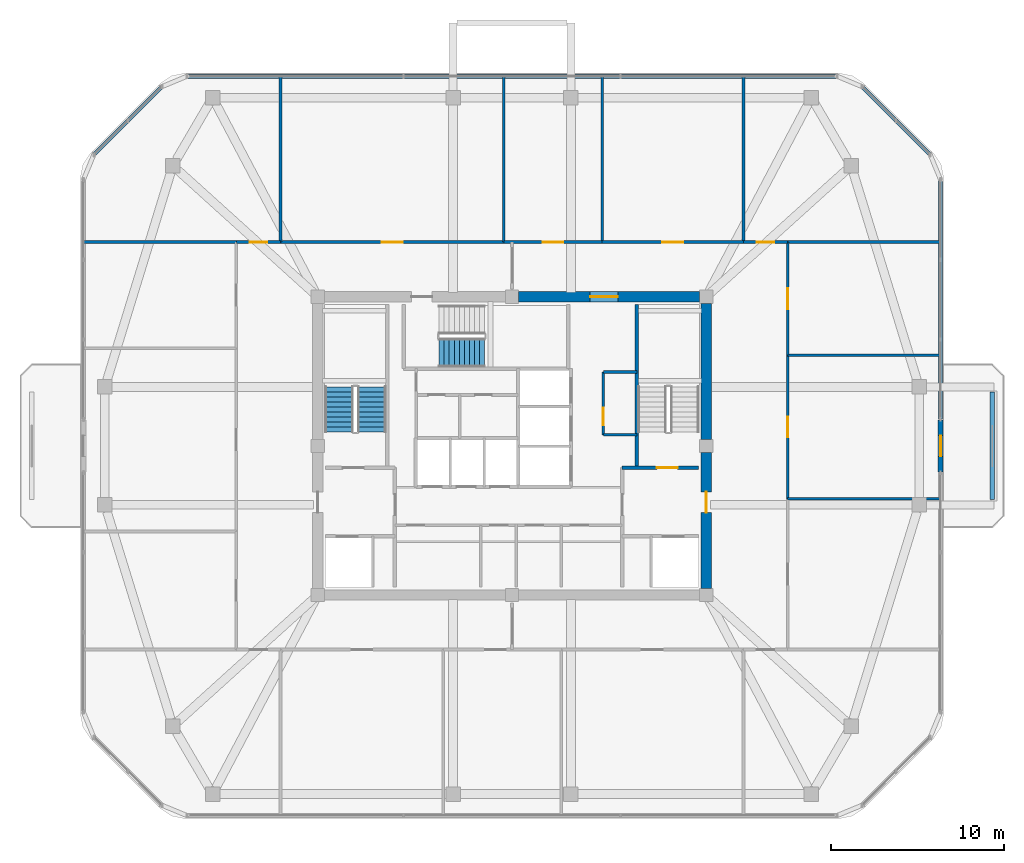
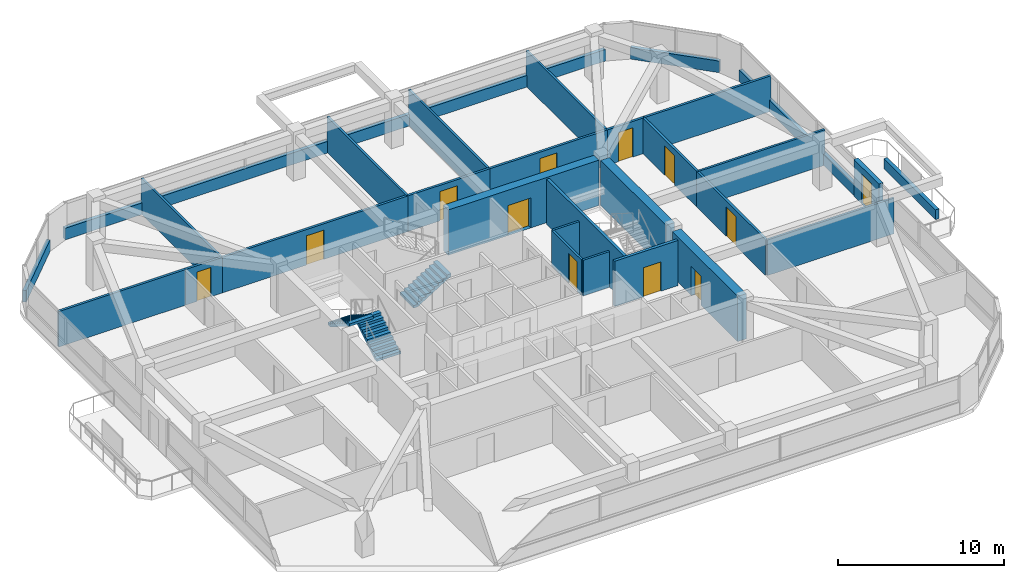
# One storey, part 11 of 14: 29 walls, 12 doors, 3 stair flights, 12 openings, 2 elements without a shape of their own.
"""IFC4 building model written with IfcOpenShell, lengths in metres."""

import ifcopenshell
import ifcopenshell.guid

model = None  # the IFC model being written
_history = None  # IfcOwnerHistory: only IFC2X3 demands one
_inside = {}  # id of a spatial element -> (the spatial element, [elements in it])
_under = {}  # id of a project, library or spatial element -> (it, [spatial elements below it])
_declared = {}  # id of a project -> (the project, [libraries it declares])
_typed = {}  # id of a type object -> (the type object, [elements of that type])
_made_of = {}  # id of a material, layer set ... -> (it, [elements and type objects made of it])


def new_model(schema):
    """Start an empty IFC model of exactly this schema.

    Asked for "IFC4X3", IfcOpenShell would pick the latest addendum, in which some entities
    have other attributes; the version numbers below select the first issue.
    IFC2X3 requires an IfcOwnerHistory on every rooted entity: one is made here for all.
    """
    global model, _history
    if schema == "IFC4X3":
        model = ifcopenshell.file(schema_version=(4, 3, 0, 0))
    else:
        model = ifcopenshell.file(schema=schema)
    _inside.clear()
    _under.clear()
    _declared.clear()
    _typed.clear()
    _made_of.clear()
    _history = None
    if model.schema == "IFC2X3":
        org = make("IfcOrganization", Name="unknown")
        user = make(
            "IfcPersonAndOrganization",
            ThePerson=make("IfcPerson", FamilyName="unknown"),
            TheOrganization=org,
        )
        app = make(
            "IfcApplication",
            ApplicationDeveloper=org,
            Version="unknown",
            ApplicationFullName="unknown",
            ApplicationIdentifier="unknown",
        )
        _history = make(
            "IfcOwnerHistory",
            OwningUser=user,
            OwningApplication=app,
            ChangeAction="ADDED",
            CreationDate=0,
        )
    return model


def make(cls, **values):
    """One entity of the class cls with the attributes given. An attribute that is None is left unset."""
    return model.create_entity(
        cls, **{name: value for name, value in values.items() if value is not None}
    )


def rooted(cls, **values):
    """An entity with a GlobalId (a new one), such as an element, a storey or a relation."""
    return make(cls, GlobalId=ifcopenshell.guid.new(), OwnerHistory=_history, **values)


def si_unit(unit_type, name, prefix=None):
    """IfcSIUnit, for example si_unit("LENGTHUNIT", "METRE", prefix="MILLI")."""
    return make("IfcSIUnit", UnitType=unit_type, Prefix=prefix, Name=name)


def derived_unit(unit_type, elements):
    """IfcDerivedUnit: a product of units, each with its exponent."""
    return make(
        "IfcDerivedUnit",
        Elements=[
            make("IfcDerivedUnitElement", Unit=unit, Exponent=power)
            for unit, power in elements
        ],
        UnitType=unit_type,
    )


def assignment(units):
    """IfcUnitAssignment: the units of a project."""
    return None if units is None else make("IfcUnitAssignment", Units=units)


def point(xyz):
    """IfcCartesianPoint."""
    return None if xyz is None else make("IfcCartesianPoint", Coordinates=xyz)


def direction(xyz):
    """IfcDirection."""
    return None if xyz is None else make("IfcDirection", DirectionRatios=xyz)


def frame(location, z_axis=None, x_axis=None):
    """IfcAxis2Placement3D, a coordinate frame: its origin and axes. An axis left out is left unset."""
    return make(
        "IfcAxis2Placement3D",
        Location=point(location),
        Axis=direction(z_axis),
        RefDirection=direction(x_axis),
    )


def frame_2d(location, x_axis=None):
    """IfcAxis2Placement2D, a coordinate frame in the plane: its origin and x axis."""
    return make(
        "IfcAxis2Placement2D", Location=point(location), RefDirection=direction(x_axis)
    )


def origin():
    """The frame at (0, 0, 0) with its axes left unset."""
    return frame((0.0, 0.0, 0.0))


def place(relative_to, where):
    """IfcLocalPlacement: puts the frame where relative to a parent placement (None: the world)."""
    return make(
        "IfcLocalPlacement", PlacementRelTo=relative_to, RelativePlacement=where
    )


def context(
    kind, dimensions, precision=None, world=None, true_north=None, identifier=None
):
    """IfcGeometricRepresentationContext, for example the 3D "Model" context."""
    return make(
        "IfcGeometricRepresentationContext",
        ContextIdentifier=identifier,
        ContextType=kind,
        CoordinateSpaceDimension=dimensions,
        Precision=precision,
        WorldCoordinateSystem=world,
        TrueNorth=true_north,
    )


def subcontext(parent, identifier, kind, view, scale=None):
    """IfcGeometricRepresentationSubContext, for example "Body" below "Model"."""
    return make(
        "IfcGeometricRepresentationSubContext",
        ContextIdentifier=identifier,
        ContextType=kind,
        ParentContext=parent,
        TargetScale=scale,
        TargetView=view,
    )


def project(units=None, contexts=None):
    """IfcProject with its units and contexts."""
    return rooted(
        "IfcProject",
        Name="project",
        RepresentationContexts=contexts,
        UnitsInContext=assignment(units),
    )


def spatial(cls, under=None, at=None, **own):
    """A site, building, storey or space (cls), placed at a placement, below another one or the project."""
    s = rooted(cls, ObjectPlacement=at, **own)
    if under is not None:
        _under.setdefault(under.id(), (under, []))[1].append(s)
    return s


def polyline(points):
    """IfcPolyline through the points."""
    return make("IfcPolyline", Points=[point(p) for p in points])


def profile(cls, at=None, kind="AREA", **sizes):
    """A parametric profile (cls). Its sizes go by their IFC names, for example OverallWidth=200.0."""
    return make(cls, ProfileType=kind, Position=at, **sizes)


def rectangle(**sizes):
    """IfcRectangleProfileDef."""
    return profile("IfcRectangleProfileDef", **sizes)


def outline(outer, holes=None, kind="AREA"):
    """IfcArbitraryClosedProfileDef: a profile drawn as a closed curve; with holes, ...WithVoids."""
    if holes is None:
        return make("IfcArbitraryClosedProfileDef", ProfileType=kind, OuterCurve=outer)
    return make(
        "IfcArbitraryProfileDefWithVoids",
        ProfileType=kind,
        OuterCurve=outer,
        InnerCurves=holes,
    )


def extrude(swept, where, along, depth):
    """IfcExtrudedAreaSolid: the profile swept, set in the frame where, extruded along a direction by depth."""
    return make(
        "IfcExtrudedAreaSolid",
        SweptArea=swept,
        Position=where,
        ExtrudedDirection=direction(along),
        Depth=depth,
    )


def shape(context_of_items, identifier, shape_type, items):
    """IfcShapeRepresentation: the items that make up one representation, for example the "Body"."""
    return make(
        "IfcShapeRepresentation",
        ContextOfItems=context_of_items,
        RepresentationIdentifier=identifier,
        RepresentationType=shape_type,
        Items=items,
    )


def material(Name=None, Category=None):
    """IfcMaterial."""
    return make("IfcMaterial", Name=Name, Category=Category)


def layer(
    of_material, thickness, ventilated=None, Name=None, Category=None, Priority=None
):
    """IfcMaterialLayer: one layer of a wall or slab, of a material (None: an air gap)."""
    return make(
        "IfcMaterialLayer",
        Material=of_material,
        LayerThickness=thickness,
        IsVentilated=ventilated,
        Name=Name,
        Category=Category,
        Priority=Priority,
    )


def layer_set(layers, Name=None):
    """IfcMaterialLayerSet."""
    return make("IfcMaterialLayerSet", MaterialLayers=layers, LayerSetName=Name)


def made_of(thing, what):
    """Note that an element or type object is made of a material, layer set ...; save() writes the relation."""
    if what is not None:
        _made_of.setdefault(what.id(), (what, []))[1].append(thing)
    return thing


def type_object(cls, material=None, **own):
    """A type object (cls), such as IfcWallType, which elements share."""
    return made_of(rooted(cls, **own), material)


def element(
    cls,
    number,
    at=None,
    inside=None,
    cuts=None,
    type_object=None,
    material=None,
    context=None,
    identifier="Body",
    shape_type=None,
    held_by="IfcProductDefinitionShape",
    body=None,
    shapes=None,
    **own,
):
    """One element of the class cls, such as IfcWall. Its Tag is "e" and its number.

    at: its placement. inside: the storey or other place that contains it. cuts: it is an
    opening in that element (IfcRelVoidsElement). A single representation is given by context,
    identifier, shape_type and body (its items); several are given by shapes. held_by: the class
    of the entity that holds the representations. save() writes the other relations.
    """
    e = rooted(cls, Tag="e%d" % number, ObjectPlacement=at, **own)
    if body is not None:
        shapes = [shape(context, identifier, shape_type, body)]
    if shapes is not None:
        e.Representation = make(held_by, Representations=shapes)
    if inside is not None:
        _inside.setdefault(inside.id(), (inside, []))[1].append(e)
    if cuts is not None:
        rooted(
            "IfcRelVoidsElement", RelatingBuildingElement=cuts, RelatedOpeningElement=e
        )
    if type_object is not None:
        _typed.setdefault(type_object.id(), (type_object, []))[1].append(e)
    return made_of(e, material)


def fill(opening, filler):
    """IfcRelFillsElement: the door or window that sits in an opening."""
    return rooted(
        "IfcRelFillsElement",
        RelatingOpeningElement=opening,
        RelatedBuildingElement=filler,
    )


def aggregate(whole, parts):
    """IfcRelAggregates: a whole, such as a stair, and the parts it consists of."""
    return rooted("IfcRelAggregates", RelatingObject=whole, RelatedObjects=parts)


def save(model, path):
    """Write the relations noted so far, then the file.

    IfcRelAggregates (storeys below a building ...), IfcRelContainedInSpatialStructure (elements
    in a storey), IfcRelDefinesByType, IfcRelAssociatesMaterial and IfcRelDeclares: one each for
    every whole, place, type object, material and project.
    """
    for whole, parts in _under.values():
        aggregate(whole, parts)
    for where, things in _inside.values():
        rooted(
            "IfcRelContainedInSpatialStructure",
            RelatedElements=things,
            RelatingStructure=where,
        )
    for kind, things in _typed.values():
        rooted("IfcRelDefinesByType", RelatedObjects=things, RelatingType=kind)
    for what, things in _made_of.values():
        rooted("IfcRelAssociatesMaterial", RelatedObjects=things, RelatingMaterial=what)
    for by, libraries in _declared.values():
        rooted("IfcRelDeclares", RelatingContext=by, RelatedDefinitions=libraries)
    model.write(path)


model = new_model("IFC4")

# Units and contexts
model_context = context("Model", 3, precision=1e-05, world=origin(), true_north=direction((0.0, 1.0)))
body_context = subcontext(model_context, "Body", "Model", "MODEL_VIEW")
ifc_project = project(units=[si_unit("LENGTHUNIT", "METRE"), si_unit("AREAUNIT", "SQUARE_METRE"), si_unit("VOLUMEUNIT", "CUBIC_METRE"), si_unit("PLANEANGLEUNIT", "RADIAN"), si_unit("MASSUNIT", "GRAM", prefix="KILO"), derived_unit("THERMALTRANSMITTANCEUNIT", [(si_unit("POWERUNIT", "WATT"), 1), (si_unit("LENGTHUNIT", "METRE"), -2), (si_unit("THERMODYNAMICTEMPERATUREUNIT", "KELVIN"), -1)])], contexts=[model_context])

# Site, building, storey
site_placement = place(None, origin())
site = spatial("IfcSite", under=ifc_project, at=site_placement, CompositionType="ELEMENT")
building_placement = place(site_placement, origin())
building = spatial("IfcBuilding", under=site, at=building_placement, Name="Koralith Skygarden Medical Center", CompositionType="ELEMENT")
storey_placement = place(building_placement, frame((0.0, 0.0, 257.219970703125)))
storey = spatial("IfcBuildingStorey", under=building, at=storey_placement, Name="L66", CompositionType="ELEMENT", Elevation=257.219970703125)

# Wall, opening, door
ifc_material_1 = material(Name="Gypsum Board Partition")
ifc_layer_1 = layer(ifc_material_1, 0.14990234375)
ifc_layer_set_1 = layer_set([ifc_layer_1], Name="Gypsum Board Partition")
wall_type_1 = type_object("IfcWallType", Name="Clinical Acoustic Partition 150", PredefinedType="PARTITIONING", material=ifc_layer_set_1)
wall_1_placement = place(storey_placement, frame((42.27001953125, 26.5400390625, 0.0), z_axis=(0.0, 0.0, 1.0), x_axis=(0.0, 1.0, 0.0)))
wall_1 = element("IfcWall", 1, at=wall_1_placement, inside=storey, type_object=wall_type_1, Name="L66 Clinical Acoustic Partition 150 W-CORE-L66-ESUB-W", PredefinedType="PARTITIONING", context=body_context, shape_type="SweptSolid", body=[
    extrude(rectangle(XDim=3.619873046875, YDim=0.14990234375, at=frame_2d((1.81005859375, 0.0))), origin(), (0.0, 0.0, 1.0), 2.610107421875),
])
opening_1_placement = place(wall_1_placement, frame((0.550048828125, 0.0, 0.0)))
opening_1 = element("IfcOpeningElement", 2, at=opening_1_placement, cuts=wall_1, Name="Opening D-SUP", PredefinedType="OPENING", context=body_context, shape_type="SweptSolid", body=[
    extrude(rectangle(XDim=1.0, YDim=2.14990234375, at=frame_2d((0.5, 1.074951171875))), frame((0.0, 0.0849609375, 0.0), z_axis=(0.0, -1.0, 0.0), x_axis=(1.0, 0.0, 0.0)), (0.0, 0.0, 1.0), 0.169921875),
])
ifc_material_2 = material(Name="Aluminium 6063-T6", Category="aluminium")
door_type_1 = type_object("IfcDoorType", Name="Clinical Support Door D-SUP 1000", OperationType="NOTDEFINED", PredefinedType="DOOR", material=ifc_material_2)
door_1_placement = place(opening_1_placement, origin())
door_1 = element("IfcDoor", 3, at=door_1_placement, inside=storey, type_object=door_type_1, Name="L66 Core Equipment Store Door", OperationType="SINGLE_SWING_LEFT", OverallHeight=2.14990234375, OverallWidth=1.0, PredefinedType="DOOR", context=body_context, shape_type="SweptSolid", body=[
    extrude(rectangle(XDim=1.0, YDim=2.14990234375, at=frame_2d((0.5, 1.074951171875))), frame((0.0, 0.02490234375, 0.0), z_axis=(0.0, -1.0, 0.0), x_axis=(1.0, 0.0, 0.0)), (0.0, 0.0, 1.0), 0.050048828125),
])
fill(opening_1, door_1)

# Walls
for number, where, z_axis, x_axis, name in (
    (4, (42.27001953125, 26.5400390625, 0.0), (0.0, 0.0, 1.0), (1.0, 0.0, 0.0), "L66 Clinical Acoustic Partition 150 W-CORE-L66-ESUB-S"),
    (5, (42.27001953125, 30.159912109375, 0.0), (0.0, 0.0, 1.0), (1.0, 0.0, 0.0), "L66 Clinical Acoustic Partition 150 W-CORE-L66-ESUB-N"),
):
    element("IfcWall", number, at=place(storey_placement, frame(where, z_axis=z_axis, x_axis=x_axis)), inside=storey, type_object=wall_type_1, Name=name, PredefinedType="PARTITIONING", context=body_context, shape_type="SweptSolid", body=[
        extrude(rectangle(XDim=1.929931640625, YDim=0.14990234375, at=frame_2d((0.96484375, 0.0))), origin(), (0.0, 0.0, 1.0), 2.610107421875),
    ])
for number, where, z_axis, x_axis, name in (
    (6, (23.64990234375, 37.64990234375, 0.0), (0.0, 0.0, 1.0), (0.0, 1.0, 0.0), "L66 Clinical Acoustic Partition 150 W-PART-L66-N-01"),
    (7, (36.52587890625, 37.64990234375, 0.0), (0.0, 0.0, 1.0), (0.0, 1.0, 0.0), "L66 Clinical Acoustic Partition 150 W-PART-L66-N-02"),
    (8, (42.194091796875, 37.64990234375, 0.0), (0.0, 0.0, 1.0), (0.0, 1.0, 0.0), "L66 Clinical Acoustic Partition 150 W-PART-L66-N-03"),
    (9, (50.35009765625, 37.64990234375, 0.0), (0.0, 0.0, 1.0), (0.0, 1.0, 0.0), "L66 Clinical Acoustic Partition 150 W-PART-L66-N-04"),
):
    element("IfcWall", number, at=place(storey_placement, frame(where, z_axis=z_axis, x_axis=x_axis)), inside=storey, type_object=wall_type_1, Name=name, PredefinedType="PARTITIONING", context=body_context, shape_type="SweptSolid", body=[
        extrude(rectangle(XDim=9.550048828125, YDim=0.14990234375, at=frame_2d((4.77490234375, 0.0))), origin(), (0.0, 0.0, 1.0), 2.610107421875),
    ])
for number, where, z_axis, x_axis, name in (
    (10, (52.89990234375, 22.844970703125, 0.0), (0.0, 0.0, 1.0), (1.0, 0.0, 0.0), "L66 Clinical Acoustic Partition 150 W-PART-L66-E-01"),
    (11, (52.89990234375, 31.135986328125, 0.0), (0.0, 0.0, 1.0), (1.0, 0.0, 0.0), "L66 Clinical Acoustic Partition 150 W-PART-L66-E-02"),
):
    element("IfcWall", number, at=place(storey_placement, frame(where, z_axis=z_axis, x_axis=x_axis)), inside=storey, type_object=wall_type_1, Name=name, PredefinedType="PARTITIONING", context=body_context, shape_type="SweptSolid", body=[
        extrude(rectangle(XDim=8.800048828125, YDim=0.14990234375, at=frame_2d((4.39990234375, 0.0))), origin(), (0.0, 0.0, 1.0), 2.610107421875),
    ])
ifc_layer_2 = layer(ifc_material_1, 0.1650390625)
ifc_layer_set_2 = layer_set([ifc_layer_2], Name="Gypsum Board Partition")
wall_type_2 = type_object("IfcWallType", Name="Clinical Corridor Partition 165", PredefinedType="PARTITIONING", material=ifc_layer_set_2)
for number, where, z_axis, x_axis, name in (
    (12, (12.300048828125, 37.64990234375, 0.0), (0.0, 0.0, 1.0), (1.0, 0.0, 0.0), "L66 Clinical Corridor Partition 165 W-WB-L66-NW"),
    (13, (52.89990234375, 37.64990234375, 0.0), (0.0, 0.0, 1.0), (1.0, 0.0, 0.0), "L66 Clinical Corridor Partition 165 W-WB-L66-NE"),
):
    element("IfcWall", number, at=place(storey_placement, frame(where, z_axis=z_axis, x_axis=x_axis)), inside=storey, type_object=wall_type_2, Name=name, PredefinedType="PARTITIONING", context=body_context, shape_type="SweptSolid", body=[
        extrude(rectangle(XDim=8.800048828125, YDim=0.1650390625, at=frame_2d((4.39990234375, 0.0))), origin(), (0.0, 0.0, 1.0), 2.610107421875),
    ])

# Wall, opening, door
wall_2_placement = place(storey_placement, frame((21.10009765625, 37.64990234375, 0.0), z_axis=(0.0, 0.0, 1.0), x_axis=(1.0, 0.0, 0.0)))
wall_2 = element("IfcWall", 14, at=wall_2_placement, inside=storey, type_object=wall_type_2, Name="L66 Clinical Corridor Partition 165 W-CORR-L66-N-01", PredefinedType="PARTITIONING", context=body_context, shape_type="SweptSolid", body=[
    extrude(rectangle(XDim=2.5498046875, YDim=0.1650390625, at=frame_2d((1.27490234375, 0.0))), origin(), (0.0, 0.0, 1.0), 2.610107421875),
])
opening_2_placement = place(wall_2_placement, frame((0.77490234375, 0.0, 0.0)))
opening_2 = element("IfcOpeningElement", 15, at=opening_2_placement, cuts=wall_2, Name="Opening D-SUP", PredefinedType="OPENING", context=body_context, shape_type="SweptSolid", body=[
    extrude(rectangle(XDim=1.0, YDim=2.14990234375, at=frame_2d((0.5, 1.074951171875))), frame((0.0, 0.092529296875, 0.0), z_axis=(0.0, -1.0, 0.0), x_axis=(1.0, 0.0, 0.0)), (0.0, 0.0, 1.0), 0.18505859375),
])
door_2_placement = place(opening_2_placement, origin())
door_2 = element("IfcDoor", 16, at=door_2_placement, inside=storey, type_object=door_type_1, Name="L66 Otolaryngology Audiology Exam Room 01 Door", OperationType="SINGLE_SWING_RIGHT", OverallHeight=2.14990234375, OverallWidth=1.0, PredefinedType="DOOR", context=body_context, shape_type="SweptSolid", body=[
    extrude(rectangle(XDim=1.0, YDim=2.14990234375, at=frame_2d((0.5, 1.074951171875))), frame((0.0, 0.02490234375, 0.0), z_axis=(0.0, -1.0, 0.0), x_axis=(1.0, 0.0, 0.0)), (0.0, 0.0, 1.0), 0.050048828125),
])
fill(opening_2, door_2)

wall_3_placement = place(storey_placement, frame((23.64990234375, 37.64990234375, 0.0), z_axis=(0.0, 0.0, 1.0), x_axis=(1.0, 0.0, 0.0)))
wall_3 = element("IfcWall", 17, at=wall_3_placement, inside=storey, type_object=wall_type_2, Name="L66 Clinical Corridor Partition 165 W-CORR-L66-N-02", PredefinedType="PARTITIONING", context=body_context, shape_type="SweptSolid", body=[
    extrude(rectangle(XDim=12.8759765625, YDim=0.1650390625, at=frame_2d((6.43798828125, 0.0))), origin(), (0.0, 0.0, 1.0), 2.610107421875),
])
opening_3_placement = place(wall_3_placement, frame((5.837890625, 0.0, 0.0)))
opening_3 = element("IfcOpeningElement", 18, at=opening_3_placement, cuts=wall_3, Name="Opening D-CLN", PredefinedType="OPENING", context=body_context, shape_type="SweptSolid", body=[
    extrude(rectangle(XDim=1.199951171875, YDim=2.14990234375, at=frame_2d((0.60009765625, 1.074951171875))), frame((0.0, 0.092529296875, 0.0), z_axis=(0.0, -1.0, 0.0), x_axis=(1.0, 0.0, 0.0)), (0.0, 0.0, 1.0), 0.18505859375),
])
door_type_2 = type_object("IfcDoorType", Name="Clinical Corridor Door D-CLN 1200", OperationType="NOTDEFINED", PredefinedType="DOOR", material=ifc_material_2)
door_3_placement = place(opening_3_placement, origin())
door_3 = element("IfcDoor", 19, at=door_3_placement, inside=storey, type_object=door_type_2, Name="L66 Speech Swallow Treatment Room 02 Door", OperationType="SINGLE_SWING_LEFT", OverallHeight=2.14990234375, OverallWidth=1.199951171875, PredefinedType="DOOR", context=body_context, shape_type="SweptSolid", body=[
    extrude(rectangle(XDim=1.199951171875, YDim=2.14990234375, at=frame_2d((0.60009765625, 1.074951171875))), frame((0.0, 0.02490234375, 0.0), z_axis=(0.0, -1.0, 0.0), x_axis=(1.0, 0.0, 0.0)), (0.0, 0.0, 1.0), 0.050048828125),
])
fill(opening_3, door_3)

wall_4_placement = place(storey_placement, frame((36.52587890625, 37.64990234375, 0.0), z_axis=(0.0, 0.0, 1.0), x_axis=(1.0, 0.0, 0.0)))
wall_4 = element("IfcWall", 20, at=wall_4_placement, inside=storey, type_object=wall_type_2, Name="L66 Clinical Corridor Partition 165 W-CORR-L66-N-03", PredefinedType="PARTITIONING", context=body_context, shape_type="SweptSolid", body=[
    extrude(rectangle(XDim=5.668212890625, YDim=0.1650390625, at=frame_2d((2.833984375, 0.0))), origin(), (0.0, 0.0, 1.0), 2.610107421875),
])
opening_4_placement = place(wall_4_placement, frame((2.23388671875, 0.0, 0.0)))
opening_4 = element("IfcOpeningElement", 21, at=opening_4_placement, cuts=wall_4, Name="Opening D-CLN", PredefinedType="OPENING", context=body_context, shape_type="SweptSolid", body=[
    extrude(rectangle(XDim=1.199951171875, YDim=2.14990234375, at=frame_2d((0.60009765625, 1.074951171875))), frame((0.0, 0.092529296875, 0.0), z_axis=(0.0, -1.0, 0.0), x_axis=(1.0, 0.0, 0.0)), (0.0, 0.0, 1.0), 0.18505859375),
])
door_4_placement = place(opening_4_placement, origin())
door_4 = element("IfcDoor", 22, at=door_4_placement, inside=storey, type_object=door_type_2, Name="L66 Vestibular Testing Exam Room 03 Door", OperationType="SINGLE_SWING_RIGHT", OverallHeight=2.14990234375, OverallWidth=1.199951171875, PredefinedType="DOOR", context=body_context, shape_type="SweptSolid", body=[
    extrude(rectangle(XDim=1.199951171875, YDim=2.14990234375, at=frame_2d((0.60009765625, 1.074951171875))), frame((0.0, 0.02490234375, 0.0), z_axis=(0.0, -1.0, 0.0), x_axis=(1.0, 0.0, 0.0)), (0.0, 0.0, 1.0), 0.050048828125),
])
fill(opening_4, door_4)

wall_5_placement = place(storey_placement, frame((42.194091796875, 37.64990234375, 0.0), z_axis=(0.0, 0.0, 1.0), x_axis=(1.0, 0.0, 0.0)))
wall_5 = element("IfcWall", 23, at=wall_5_placement, inside=storey, type_object=wall_type_2, Name="L66 Clinical Corridor Partition 165 W-CORR-L66-N-04", PredefinedType="PARTITIONING", context=body_context, shape_type="SweptSolid", body=[
    extrude(rectangle(XDim=8.156005859375, YDim=0.1650390625, at=frame_2d((4.078125, 0.0))), origin(), (0.0, 0.0, 1.0), 2.610107421875),
])
opening_5_placement = place(wall_5_placement, frame((3.47802734375, 0.0, 0.0)))
opening_5 = element("IfcOpeningElement", 24, at=opening_5_placement, cuts=wall_5, Name="Opening D-CLN", PredefinedType="OPENING", context=body_context, shape_type="SweptSolid", body=[
    extrude(rectangle(XDim=1.199951171875, YDim=2.14990234375, at=frame_2d((0.60009765625, 1.074951171875))), frame((0.0, 0.092529296875, 0.0), z_axis=(0.0, -1.0, 0.0), x_axis=(1.0, 0.0, 0.0)), (0.0, 0.0, 1.0), 0.18505859375),
])
door_5_placement = place(opening_5_placement, origin())
door_5 = element("IfcDoor", 25, at=door_5_placement, inside=storey, type_object=door_type_2, Name="L66 Clinical Consultation Office 04 Door", OperationType="SINGLE_SWING_LEFT", OverallHeight=2.14990234375, OverallWidth=1.199951171875, PredefinedType="DOOR", context=body_context, shape_type="SweptSolid", body=[
    extrude(rectangle(XDim=1.199951171875, YDim=2.14990234375, at=frame_2d((0.60009765625, 1.074951171875))), frame((0.0, 0.02490234375, 0.0), z_axis=(0.0, -1.0, 0.0), x_axis=(1.0, 0.0, 0.0)), (0.0, 0.0, 1.0), 0.050048828125),
])
fill(opening_5, door_5)

wall_6_placement = place(storey_placement, frame((50.35009765625, 37.64990234375, 0.0), z_axis=(0.0, 0.0, 1.0), x_axis=(1.0, 0.0, 0.0)))
wall_6 = element("IfcWall", 26, at=wall_6_placement, inside=storey, type_object=wall_type_2, Name="L66 Clinical Corridor Partition 165 W-CORR-L66-N-05", PredefinedType="PARTITIONING", context=body_context, shape_type="SweptSolid", body=[
    extrude(rectangle(XDim=2.5498046875, YDim=0.1650390625, at=frame_2d((1.27490234375, 0.0))), origin(), (0.0, 0.0, 1.0), 2.610107421875),
])
opening_6_placement = place(wall_6_placement, frame((0.77490234375, 0.0, 0.0)))
opening_6 = element("IfcOpeningElement", 27, at=opening_6_placement, cuts=wall_6, Name="Opening D-SUP", PredefinedType="OPENING", context=body_context, shape_type="SweptSolid", body=[
    extrude(rectangle(XDim=1.0, YDim=2.14990234375, at=frame_2d((0.5, 1.074951171875))), frame((0.0, 0.092529296875, 0.0), z_axis=(0.0, -1.0, 0.0), x_axis=(1.0, 0.0, 0.0)), (0.0, 0.0, 1.0), 0.18505859375),
])
door_6_placement = place(opening_6_placement, origin())
door_6 = element("IfcDoor", 28, at=door_6_placement, inside=storey, type_object=door_type_1, Name="L66 Otolaryngology Audiology Exam Room 05 Door", OperationType="SINGLE_SWING_RIGHT", OverallHeight=2.14990234375, OverallWidth=1.0, PredefinedType="DOOR", context=body_context, shape_type="SweptSolid", body=[
    extrude(rectangle(XDim=1.0, YDim=2.14990234375, at=frame_2d((0.5, 1.074951171875))), frame((0.0, 0.02490234375, 0.0), z_axis=(0.0, -1.0, 0.0), x_axis=(1.0, 0.0, 0.0)), (0.0, 0.0, 1.0), 0.050048828125),
])
fill(opening_6, door_6)

wall_7_placement = place(storey_placement, frame((52.89990234375, 22.844970703125, 0.0), z_axis=(0.0, 0.0, 1.0), x_axis=(0.0, 1.0, 0.0)))
wall_7 = element("IfcWall", 29, at=wall_7_placement, inside=storey, type_object=wall_type_2, Name="L66 Clinical Corridor Partition 165 W-CORR-L66-E-02", PredefinedType="PARTITIONING", context=body_context, shape_type="SweptSolid", body=[
    extrude(rectangle(XDim=8.291015625, YDim=0.1650390625, at=frame_2d((4.1455078125, 0.0))), origin(), (0.0, 0.0, 1.0), 2.610107421875),
])
opening_7_placement = place(wall_7_placement, frame((3.5458984375, 0.0, 0.0)))
opening_7 = element("IfcOpeningElement", 30, at=opening_7_placement, cuts=wall_7, Name="Opening D-CLN", PredefinedType="OPENING", context=body_context, shape_type="SweptSolid", body=[
    extrude(rectangle(XDim=1.199951171875, YDim=2.14990234375, at=frame_2d((0.60009765625, 1.074951171875))), frame((0.0, 0.092529296875, 0.0), z_axis=(0.0, -1.0, 0.0), x_axis=(1.0, 0.0, 0.0)), (0.0, 0.0, 1.0), 0.18505859375),
])
door_7_placement = place(opening_7_placement, origin())
door_7 = element("IfcDoor", 31, at=door_7_placement, inside=storey, type_object=door_type_2, Name="L66 Patient and Family Sky-Garden Day Lounge 15 Door", OperationType="SINGLE_SWING_RIGHT", OverallHeight=2.14990234375, OverallWidth=1.199951171875, PredefinedType="DOOR", context=body_context, shape_type="SweptSolid", body=[
    extrude(rectangle(XDim=1.199951171875, YDim=2.14990234375, at=frame_2d((0.60009765625, 1.074951171875))), frame((0.0, 0.02490234375, 0.0), z_axis=(0.0, -1.0, 0.0), x_axis=(1.0, 0.0, 0.0)), (0.0, 0.0, 1.0), 0.050048828125),
])
fill(opening_7, door_7)

wall_8_placement = place(storey_placement, frame((52.89990234375, 31.135986328125, 0.0), z_axis=(0.0, 0.0, 1.0), x_axis=(0.0, 1.0, 0.0)))
wall_8 = element("IfcWall", 32, at=wall_8_placement, inside=storey, type_object=wall_type_2, Name="L66 Clinical Corridor Partition 165 W-CORR-L66-E-03", PredefinedType="PARTITIONING", context=body_context, shape_type="SweptSolid", body=[
    extrude(rectangle(XDim=6.513916015625, YDim=0.1650390625, at=frame_2d((3.2568359375, 0.0))), origin(), (0.0, 0.0, 1.0), 2.610107421875),
])
opening_8_placement = place(wall_8_placement, frame((2.656982421875, 0.0, 0.0)))
opening_8 = element("IfcOpeningElement", 33, at=opening_8_placement, cuts=wall_8, Name="Opening D-CLN", PredefinedType="OPENING", context=body_context, shape_type="SweptSolid", body=[
    extrude(rectangle(XDim=1.199951171875, YDim=2.14990234375, at=frame_2d((0.60009765625, 1.074951171875))), frame((0.0, 0.092529296875, 0.0), z_axis=(0.0, -1.0, 0.0), x_axis=(1.0, 0.0, 0.0)), (0.0, 0.0, 1.0), 0.18505859375),
])
door_8_placement = place(opening_8_placement, origin())
door_8 = element("IfcDoor", 34, at=door_8_placement, inside=storey, type_object=door_type_2, Name="L66 Speech Swallow Treatment Room 16 Door", OperationType="SINGLE_SWING_LEFT", OverallHeight=2.14990234375, OverallWidth=1.199951171875, PredefinedType="DOOR", context=body_context, shape_type="SweptSolid", body=[
    extrude(rectangle(XDim=1.199951171875, YDim=2.14990234375, at=frame_2d((0.60009765625, 1.074951171875))), frame((0.0, 0.02490234375, 0.0), z_axis=(0.0, -1.0, 0.0), x_axis=(1.0, 0.0, 0.0)), (0.0, 0.0, 1.0), 0.050048828125),
])
fill(opening_8, door_8)

# Walls
ifc_material_3 = material(Name="Warm Oolitic Limestone Cladding", Category="masonry")
ifc_layer_3 = layer(ifc_material_3, 0.239990234375)
ifc_layer_set_3 = layer_set([ifc_layer_3], Name="Warm Oolitic Limestone Cladding")
wall_type_3 = type_object("IfcWallType", Name="Limestone Spandrel Sill Backup Wall 240", PredefinedType="SOLIDWALL", material=ifc_layer_set_3)
wall_9_placement = place(storey_placement, frame((61.719970703125, 27.43994140625, 0.0), z_axis=(0.0, 0.0, 1.0), x_axis=(0.0, 1.0, 0.0)))
element("IfcWall", 35, at=wall_9_placement, inside=storey, type_object=wall_type_3, Name="L66 Sill Spandrel E-R", PredefinedType="SOLIDWALL", context=body_context, shape_type="SweptSolid", body=[
    extrude(rectangle(XDim=13.80517578125, YDim=0.239990234375, at=frame_2d((6.902587890625, 0.0))), origin(), (0.0, 0.0, 1.0), 0.85009765625),
])
wall_10_placement = place(storey_placement, frame((61.118896484375, 42.696044921875, 0.0), z_axis=(0.0, 0.0, 1.0), x_axis=(-0.707106781187, 0.707106781187, 0.0)))
element("IfcWall", 36, at=wall_10_placement, inside=storey, type_object=wall_type_3, Name="L66 Sill Spandrel NE", PredefinedType="SOLIDWALL", context=body_context, shape_type="SweptSolid", body=[
    extrude(rectangle(XDim=5.5478515625, YDim=0.239990234375, at=frame_2d((2.77392578125, 0.0))), origin(), (0.0, 0.0, 1.0), 0.85009765625),
])
wall_11_placement = place(storey_placement, frame((55.7451171875, 47.219970703125, 0.0), z_axis=(0.0, 0.0, 1.0), x_axis=(-1.0, 0.0, 0.0)))
element("IfcWall", 37, at=wall_11_placement, inside=storey, type_object=wall_type_3, Name="L66 Sill Spandrel N", PredefinedType="SOLIDWALL", context=body_context, shape_type="SweptSolid", body=[
    extrude(rectangle(XDim=37.490234375, YDim=0.239990234375, at=frame_2d((18.7451171875, 0.0))), origin(), (0.0, 0.0, 1.0), 0.85009765625),
])
wall_12_placement = place(storey_placement, frame((16.803955078125, 46.618896484375, 0.0), z_axis=(0.0, 0.0, 1.0), x_axis=(-0.707106781187, -0.707106781187, 0.0)))
element("IfcWall", 38, at=wall_12_placement, inside=storey, type_object=wall_type_3, Name="L66 Sill Spandrel NW", PredefinedType="SOLIDWALL", context=body_context, shape_type="SweptSolid", body=[
    extrude(rectangle(XDim=5.5478515625, YDim=0.239990234375, at=frame_2d((2.77392578125, 0.0))), origin(), (0.0, 0.0, 1.0), 0.85009765625),
])

# Wall, opening, door
ifc_layer_4 = layer(ifc_material_3, 0.300048828125)
ifc_layer_set_4 = layer_set([ifc_layer_4], Name="Warm Oolitic Limestone Cladding")
wall_type_4 = type_object("IfcWallType", Name="Oolitic Limestone Insulated Facade Wall 300", PredefinedType="SOLIDWALL", material=ifc_layer_set_4)
wall_13_placement = place(storey_placement, frame((61.719970703125, 24.39990234375, 0.0), z_axis=(0.0, 0.0, 1.0), x_axis=(0.0, 1.0, 0.0)))
wall_13 = element("IfcWall", 39, at=wall_13_placement, inside=storey, type_object=wall_type_4, Name="L66 Terrace Portal Wall E", PredefinedType="SOLIDWALL", context=body_context, shape_type="SweptSolid", body=[
    extrude(rectangle(XDim=3.0, YDim=0.300048828125, at=frame_2d((1.5, 0.0))), origin(), (0.0, 0.0, 1.0), 2.68994140625),
])
opening_9_placement = place(wall_13_placement, frame((0.89990234375, 0.0, 0.0)))
opening_9 = element("IfcOpeningElement", 40, at=opening_9_placement, cuts=wall_13, Name="Opening D-BAL", PredefinedType="OPENING", context=body_context, shape_type="SweptSolid", body=[
    extrude(rectangle(XDim=1.199951171875, YDim=2.199951171875, at=frame_2d((0.60009765625, 1.10009765625))), frame((0.0, 0.159912109375, 0.0), z_axis=(0.0, -1.0, 0.0), x_axis=(1.0, 0.0, 0.0)), (0.0, 0.0, 1.0), 0.320068359375),
])
door_type_3 = type_object("IfcDoorType", Name="Planted Balcony Glazed Terrace Door D-BAL 1200", OperationType="NOTDEFINED", PredefinedType="DOOR", material=ifc_material_2)
door_9_placement = place(opening_9_placement, origin())
door_9 = element("IfcDoor", 41, at=door_9_placement, inside=storey, type_object=door_type_3, Name="L66 E Outdoor Terrace Access Door", OperationType="SINGLE_SWING_LEFT", OverallHeight=2.199951171875, OverallWidth=1.199951171875, PredefinedType="DOOR", context=body_context, shape_type="SweptSolid", body=[
    extrude(rectangle(XDim=1.199951171875, YDim=2.199951171875, at=frame_2d((0.60009765625, 1.10009765625))), frame((0.0, 0.02490234375, 0.0), z_axis=(0.0, -1.0, 0.0), x_axis=(1.0, 0.0, 0.0)), (0.0, 0.0, 1.0), 0.050048828125),
])
fill(opening_9, door_9)

# Walls
ifc_material_4 = material(Name="Precast concrete C40/50", Category="concrete")
ifc_layer_5 = layer(ifc_material_4, 0.25)
ifc_layer_set_5 = layer_set([ifc_layer_5], Name="Precast concrete C40/50")
wall_type_5 = type_object("IfcWallType", Name="Structural Concrete Balcony Planter Kerb 250", PredefinedType="PARAPET", material=ifc_layer_set_5)
wall_14_placement = place(storey_placement, frame((64.699951171875, 22.800048828125, 0.0), z_axis=(0.0, 0.0, 1.0), x_axis=(0.0, 1.0, 0.0)))
element("IfcWall", 42, at=wall_14_placement, inside=storey, type_object=wall_type_5, Name="L66 E Structural Tree PLANTER Box", PredefinedType="PARAPET", context=body_context, shape_type="SweptSolid", body=[
    extrude(rectangle(XDim=6.199951171875, YDim=0.25, at=frame_2d((3.10009765625, 0.0))), origin(), (0.0, 0.0, 1.0), 0.719970703125),
])
ifc_material_5 = material(Name="Concrete C45/55", Category="concrete")
ifc_layer_6 = layer(ifc_material_5, 0.199951171875)
ifc_layer_set_6 = layer_set([ifc_layer_6], Name="Concrete C45/55")
wall_type_6 = type_object("IfcWallType", Name="Structural Stair Shaft Wall 200", PredefinedType="SHEAR", material=ifc_layer_set_6)
wall_15_placement = place(storey_placement, frame((44.199951171875, 24.64990234375, 0.0), z_axis=(0.0, 0.0, 1.0), x_axis=(0.0, 1.0, 0.0)))
element("IfcWall", 43, at=wall_15_placement, inside=storey, type_object=wall_type_6, Name="L66 Structural Stair Shaft Wall 200 W-CORE-L66-ST2-W", PredefinedType="SHEAR", context=body_context, shape_type="SweptSolid", body=[
    extrude(rectangle(XDim=9.400146484375, YDim=0.199951171875, at=frame_2d((4.7001953125, 0.0))), origin(), (0.0, 0.0, 1.0), 3.320068359375),
])

# Wall, opening, door
wall_16_placement = place(storey_placement, frame((43.35009765625, 24.64990234375, 0.0), z_axis=(0.0, 0.0, 1.0), x_axis=(1.0, 0.0, 0.0)))
wall_16 = element("IfcWall", 44, at=wall_16_placement, inside=storey, type_object=wall_type_6, Name="L66 Structural Stair Shaft Wall 200 W-CORE-L66-ST2-S", PredefinedType="SHEAR", context=body_context, shape_type="SweptSolid", body=[
    extrude(rectangle(XDim=4.39990234375, YDim=0.199951171875, at=frame_2d((2.199951171875, 0.0))), origin(), (0.0, 0.0, 1.0), 3.320068359375),
])
opening_10_placement = place(wall_16_placement, frame((2.0, 0.0, 0.0)))
opening_10 = element("IfcOpeningElement", 45, at=opening_10_placement, cuts=wall_16, Name="Opening D-ST60", PredefinedType="OPENING", context=body_context, shape_type="SweptSolid", body=[
    extrude(rectangle(XDim=1.199951171875, YDim=2.14990234375, at=frame_2d((0.60009765625, 1.074951171875))), frame((0.0, 0.10986328125, 0.0), z_axis=(0.0, -1.0, 0.0), x_axis=(1.0, 0.0, 0.0)), (0.0, 0.0, 1.0), 0.219970703125),
])
ifc_material_6 = material(Name="Steel ASTM A500 Grade C", Category="steel")
door_type_4 = type_object("IfcDoorType", Name="Smokeproof Stair Fire Door FD60S 1200", OperationType="NOTDEFINED", PredefinedType="DOOR", material=ifc_material_6)
door_10_placement = place(opening_10_placement, origin())
door_10 = element("IfcDoor", 46, at=door_10_placement, inside=storey, type_object=door_type_4, Name="L66 Exit Stair ST2 Fire Door", OperationType="SINGLE_SWING_RIGHT", OverallHeight=2.14990234375, OverallWidth=1.199951171875, PredefinedType="DOOR", context=body_context, shape_type="SweptSolid", body=[
    extrude(rectangle(XDim=1.199951171875, YDim=2.14990234375, at=frame_2d((0.60009765625, 1.074951171875))), frame((0.0, 0.02490234375, 0.0), z_axis=(0.0, -1.0, 0.0), x_axis=(1.0, 0.0, 0.0)), (0.0, 0.0, 1.0), 0.050048828125),
])
fill(opening_10, door_10)

ifc_material_7 = material(Name="Concrete C55/67", Category="concrete")
ifc_layer_7 = layer(ifc_material_7, 0.60009765625)
ifc_layer_set_7 = layer_set([ifc_layer_7], Name="Concrete C55/67")
wall_type_7 = type_object("IfcWallType", Name="Upper Core Shear Wall 600", PredefinedType="SHEAR", material=ifc_layer_set_7)
wall_17_placement = place(storey_placement, frame((48.199951171875, 17.675048828125, 0.0), z_axis=(0.0, 0.0, 1.0), x_axis=(0.0, 1.0, 0.0)))
wall_17 = element("IfcWall", 47, at=wall_17_placement, inside=storey, type_object=wall_type_7, Name="L66 Core Shear Wall Segment 3", PredefinedType="SHEAR", context=body_context, shape_type="SweptSolid", body=[
    extrude(rectangle(XDim=7.849853515625, YDim=0.60009765625, at=frame_2d((3.9248046875, 0.0))), origin(), (0.0, 0.0, 1.0), 3.320068359375),
])
opening_11_placement = place(wall_17_placement, frame((4.375, 0.0, 0.0)))
opening_11 = element("IfcOpeningElement", 48, at=opening_11_placement, cuts=wall_17, Name="Opening D-ST60", PredefinedType="OPENING", context=body_context, shape_type="SweptSolid", body=[
    extrude(rectangle(XDim=1.199951171875, YDim=2.14990234375, at=frame_2d((0.60009765625, 1.074951171875))), frame((0.0, 0.31005859375, 0.0), z_axis=(0.0, -1.0, 0.0), x_axis=(1.0, 0.0, 0.0)), (0.0, 0.0, 1.0), 0.6201171875),
])
door_11_placement = place(opening_11_placement, frame((1.199951171875, 0.0, 0.0), z_axis=(0.0, 0.0, 1.0), x_axis=(-1.0, 0.0, 0.0)))
door_11 = element("IfcDoor", 49, at=door_11_placement, inside=storey, type_object=door_type_4, Name="L66 East Corridor to Firefighting Lobby Door", OperationType="SINGLE_SWING_RIGHT", OverallHeight=2.14990234375, OverallWidth=1.199951171875, PredefinedType="DOOR", context=body_context, shape_type="SweptSolid", body=[
    extrude(rectangle(XDim=1.199951171875, YDim=2.14990234375, at=frame_2d((0.60009765625, 1.074951171875))), frame((0.0, 0.02490234375, 0.0), z_axis=(0.0, -1.0, 0.0), x_axis=(1.0, 0.0, 0.0)), (0.0, 0.0, 1.0), 0.050048828125),
])
fill(opening_11, door_11)

# Wall
wall_18_placement = place(storey_placement, frame((48.199951171875, 26.27490234375, 0.0), z_axis=(0.0, 0.0, 1.0), x_axis=(0.0, 1.0, 0.0)))
element("IfcWall", 50, at=wall_18_placement, inside=storey, type_object=wall_type_7, Name="L66 Core Shear Wall Segment 4", PredefinedType="SHEAR", context=body_context, shape_type="SweptSolid", body=[
    extrude(rectangle(XDim=7.85009765625, YDim=0.60009765625, at=frame_2d((3.925048828125, 0.0))), origin(), (0.0, 0.0, 1.0), 3.320068359375),
])

# Wall, opening, door
wall_19_placement = place(storey_placement, frame((47.824951171875, 34.5, 0.0), z_axis=(0.0, 0.0, 1.0), x_axis=(-1.0, 0.0, 0.0)))
wall_19 = element("IfcWall", 51, at=wall_19_placement, inside=storey, type_object=wall_type_7, Name="L66 Core Shear Wall Segment 5", PredefinedType="SHEAR", context=body_context, shape_type="SweptSolid", body=[
    extrude(rectangle(XDim=10.449951171875, YDim=0.60009765625, at=frame_2d((5.22509765625, 0.0))), origin(), (0.0, 0.0, 1.0), 3.320068359375),
])
opening_12_placement = place(wall_19_placement, frame((4.72509765625, 0.0, 0.0)))
opening_12 = element("IfcOpeningElement", 52, at=opening_12_placement, cuts=wall_19, Name="Opening D-DBL", PredefinedType="OPENING", context=body_context, shape_type="SweptSolid", body=[
    extrude(rectangle(XDim=1.60009765625, YDim=2.199951171875, at=frame_2d((0.800048828125, 1.10009765625))), frame((0.0, 0.31005859375, 0.0), z_axis=(0.0, -1.0, 0.0), x_axis=(1.0, 0.0, 0.0)), (0.0, 0.0, 1.0), 0.6201171875),
])
door_type_5 = type_object("IfcDoorType", Name="Double Clinical Suite Door D-DBL 1600", OperationType="NOTDEFINED", PredefinedType="DOOR", material=ifc_material_2)
door_12_placement = place(opening_12_placement, frame((1.60009765625, 0.0, 0.0), z_axis=(0.0, 0.0, 1.0), x_axis=(-1.0, 0.0, 0.0)))
door_12 = element("IfcDoor", 53, at=door_12_placement, inside=storey, type_object=door_type_5, Name="L66 North-East Corridor to Elevator Lobby Door", OperationType="DOUBLE_DOOR_SINGLE_SWING", OverallHeight=2.199951171875, OverallWidth=1.60009765625, PredefinedType="DOOR", context=body_context, shape_type="SweptSolid", body=[
    extrude(rectangle(XDim=1.60009765625, YDim=2.199951171875, at=frame_2d((0.800048828125, 1.10009765625))), frame((0.0, 0.02490234375, 0.0), z_axis=(0.0, -1.0, 0.0), x_axis=(1.0, 0.0, 0.0)), (0.0, 0.0, 1.0), 0.050048828125),
])
fill(opening_12, door_12)

# Stair, stair flights
stair_type = type_object("IfcStairType", Name="Core Exit Dogleg Concrete Stair", PredefinedType="HALF_TURN_STAIR", material=ifc_material_5)
stair_1_placement = place(storey_placement, origin())
stair_1 = element("IfcStair", 54, at=stair_1_placement, inside=storey, type_object=stair_type, Name="L66 Smokeproof Exit Stair ST1", PredefinedType="HALF_TURN_STAIR")
stair_flight_type = type_object("IfcStairFlightType", Name="Core Exit Concrete Stair Flight 1650", PredefinedType="STRAIGHT", material=ifc_material_5)
stair_flight_1_placement = place(storey_placement, frame((28.925048828125, 26.699951171875, 0.0), z_axis=(0.0, 0.0, 1.0), x_axis=(0.0, 1.0, 0.0)))
stair_flight_1 = element("IfcStairFlight", 55, at=stair_flight_1_placement, type_object=stair_flight_type, Name="ST1 flight 1", NumberOfRisers=10, NumberOfTreads=9, PredefinedType="STRAIGHT", RiserHeight=0.18, TreadLength=0.29, context=body_context, shape_type="SweptSolid", body=[
    extrude(outline(polyline([(0.0, 0.0), (0.0, 0.179931640625), (0.2900390625, 0.179931640625), (0.2900390625, 0.360107421875), (0.580078125, 0.360107421875), (0.580078125, 0.5400390625), (0.8701171875, 0.5400390625), (0.8701171875, 0.719970703125), (1.159912109375, 0.719970703125), (1.159912109375, 0.89990234375), (1.449951171875, 0.89990234375), (1.449951171875, 1.080078125), (1.739990234375, 1.080078125), (1.739990234375, 1.260009765625), (2.030029296875, 1.260009765625), (2.030029296875, 1.43994140625), (2.320068359375, 1.43994140625), (2.320068359375, 1.6201171875), (2.610107421875, 1.6201171875), (2.610107421875, 1.800048828125), (2.610107421875, 1.443603515625), (0.2841796875, 0.0), (0.0, 0.0)])), frame((0.0, 0.824951171875, 0.0), z_axis=(0.0, -1.0, 0.0), x_axis=(1.0, 0.0, 0.0)), (0.0, 0.0, 1.0), 1.64990234375),
])
stair_flight_2_placement = place(storey_placement, frame((27.02490234375, 29.31005859375, 1.800048828125), z_axis=(0.0, 0.0, 1.0), x_axis=(0.0, -1.0, 0.0)))
stair_flight_2 = element("IfcStairFlight", 56, at=stair_flight_2_placement, type_object=stair_flight_type, Name="ST1 flight 2", NumberOfRisers=10, NumberOfTreads=9, PredefinedType="STRAIGHT", RiserHeight=0.18, TreadLength=0.29, context=body_context, shape_type="SweptSolid", body=[
    extrude(outline(polyline([(0.0, 0.0), (0.0, 0.179931640625), (0.2900390625, 0.179931640625), (0.2900390625, 0.360107421875), (0.580078125, 0.360107421875), (0.580078125, 0.5400390625), (0.8701171875, 0.5400390625), (0.8701171875, 0.719970703125), (1.159912109375, 0.719970703125), (1.159912109375, 0.89990234375), (1.449951171875, 0.89990234375), (1.449951171875, 1.080078125), (1.739990234375, 1.080078125), (1.739990234375, 1.260009765625), (2.030029296875, 1.260009765625), (2.030029296875, 1.43994140625), (2.320068359375, 1.43994140625), (2.320068359375, 1.6201171875), (2.610107421875, 1.6201171875), (2.610107421875, 1.800048828125), (2.610107421875, 1.443603515625), (0.2841796875, 0.0), (0.0, 0.0)])), frame((0.0, 0.824951171875, 0.0), z_axis=(0.0, -1.0, 0.0), x_axis=(1.0, 0.0, 0.0)), (0.0, 0.0, 1.0), 1.64990234375),
])
aggregate(stair_1, [stair_flight_1, stair_flight_2])

# Stair, stair flight
stair_2_placement = place(storey_placement, origin())
stair_2 = element("IfcStair", 57, at=stair_2_placement, inside=storey, type_object=stair_type, Name="L66 Smokeproof Exit Stair ST3", PredefinedType="HALF_TURN_STAIR")
stair_flight_3_placement = place(storey_placement, frame((32.800048828125, 31.27490234375, 0.0), z_axis=(0.0, 0.0, 1.0), x_axis=(1.0, 0.0, 0.0)))
stair_flight_3 = element("IfcStairFlight", 58, at=stair_flight_3_placement, type_object=stair_flight_type, Name="ST3 flight 1", NumberOfRisers=10, NumberOfTreads=9, PredefinedType="STRAIGHT", RiserHeight=0.18, TreadLength=0.29, context=body_context, shape_type="SweptSolid", body=[
    extrude(outline(polyline([(0.0, 0.0), (0.0, 0.179931640625), (0.2900390625, 0.179931640625), (0.2900390625, 0.360107421875), (0.580078125, 0.360107421875), (0.580078125, 0.5400390625), (0.8701171875, 0.5400390625), (0.8701171875, 0.719970703125), (1.159912109375, 0.719970703125), (1.159912109375, 0.89990234375), (1.449951171875, 0.89990234375), (1.449951171875, 1.080078125), (1.739990234375, 1.080078125), (1.739990234375, 1.260009765625), (2.030029296875, 1.260009765625), (2.030029296875, 1.43994140625), (2.320068359375, 1.43994140625), (2.320068359375, 1.6201171875), (2.610107421875, 1.6201171875), (2.610107421875, 1.800048828125), (2.610107421875, 1.443603515625), (0.2841796875, 0.0), (0.0, 0.0)])), frame((0.0, 0.824951171875, 0.0), z_axis=(0.0, -1.0, 0.0), x_axis=(1.0, 0.0, 0.0)), (0.0, 0.0, 1.0), 1.64990234375),
])
aggregate(stair_2, [stair_flight_3])

save(model, "model.ifc")
